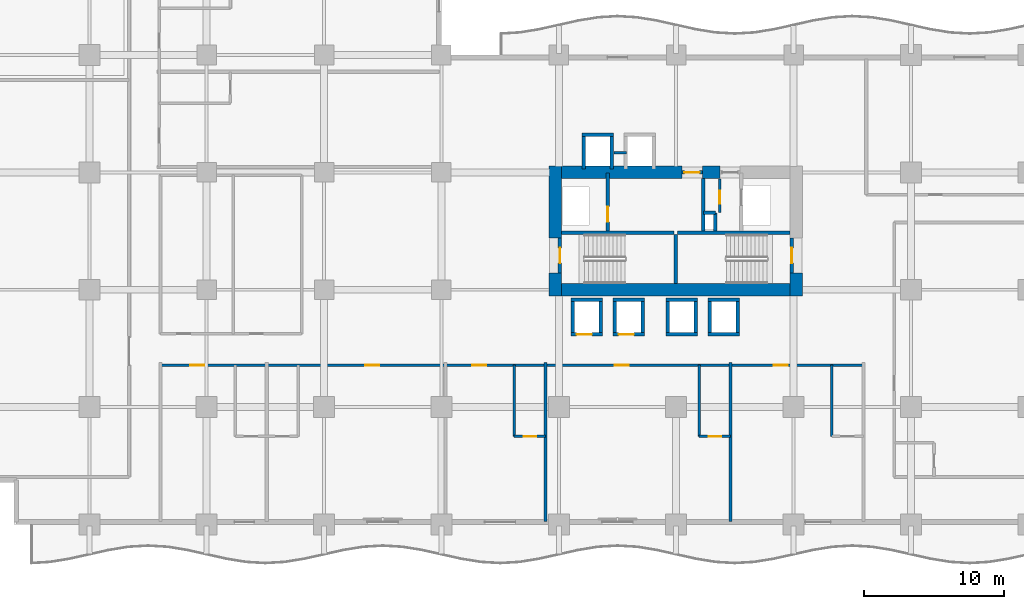
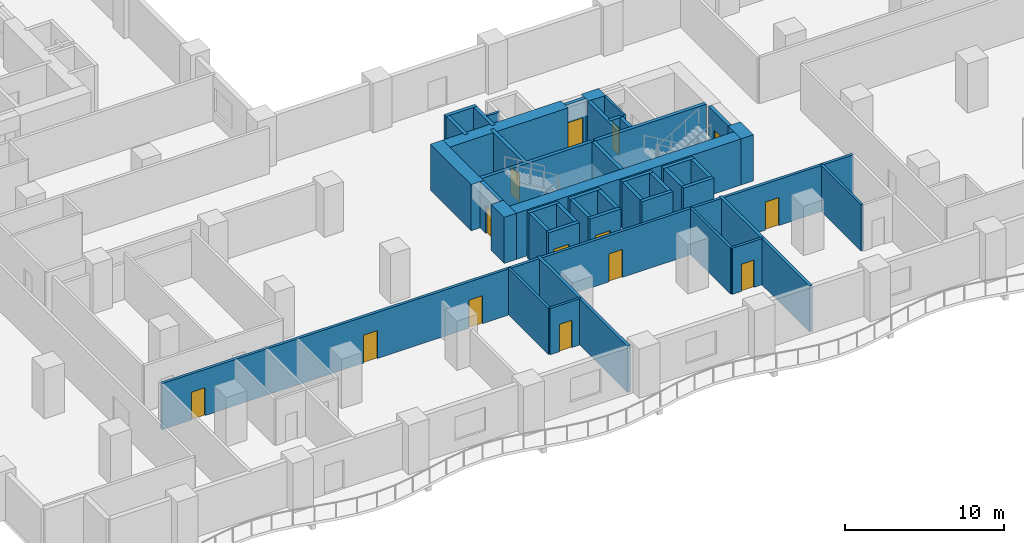
# One storey, part 12 of 27: 45 walls, 14 doors, 14 openings.
"""IFC4 building model written with IfcOpenShell, lengths in metres."""

from ifc_helpers import new_model, si_unit, direction, frame, frame_2d, origin, place, context, subcontext, project, spatial, rectangle, extrude, material, layer, layer_set, type_object, element, fill, save


model = new_model("IFC4")

# Units and contexts
model_context = context("Model", 3, precision=1e-05, world=origin(), true_north=direction((0.0, 1.0)))
body_context = subcontext(model_context, "Body", "Model", "MODEL_VIEW")
ifc_project = project(units=[si_unit("LENGTHUNIT", "METRE"), si_unit("AREAUNIT", "SQUARE_METRE"), si_unit("VOLUMEUNIT", "CUBIC_METRE"), si_unit("PLANEANGLEUNIT", "RADIAN"), si_unit("MASSUNIT", "GRAM", prefix="KILO")], contexts=[model_context])

# Site, building, storey
site_placement = place(None, origin())
site = spatial("IfcSite", under=ifc_project, at=site_placement, CompositionType="ELEMENT")
building_placement = place(site_placement, origin())
building = spatial("IfcBuilding", under=site, at=building_placement, Name="Koriwani Terraces Tower", CompositionType="ELEMENT")
storey_placement = place(building_placement, frame((0.0, 0.0, 54.800048828125)))
storey = spatial("IfcBuildingStorey", under=building, at=storey_placement, Name="L12", CompositionType="ELEMENT", Elevation=54.800048828125)

# Walls
ifc_material_1 = material(Name="Concrete C60/75", Category="concrete")
ifc_layer_1 = layer(ifc_material_1, 0.89990234375, Name="Concrete C60/75")
ifc_layer_set_1 = layer_set([ifc_layer_1], Name="Concrete C60/75")
wall_type_1 = type_object("IfcWallType", Name="WALL_CORE_RC_900", PredefinedType="SHEAR", material=ifc_layer_set_1)
wall_1_placement = place(storey_placement, frame((41.75, 16.35009765625, 0.0), z_axis=(0.0, 0.0, 1.0), x_axis=(0.0, 1.0, 0.0)))
element("IfcWall", 1, at=wall_1_placement, inside=storey, type_object=wall_type_1, Name="L12 East Split Core Shear Wall W1", PredefinedType="SHEAR", context=body_context, shape_type="SweptSolid", body=[
    extrude(rectangle(XDim=1.64990234375, YDim=0.89990234375, at=frame_2d((0.824951171875, 0.0))), origin(), (0.0, 0.0, 1.0), 3.550048828125),
])
wall_2_placement = place(storey_placement, frame((41.75, 20.5, 0.0), z_axis=(0.0, 0.0, 1.0), x_axis=(0.0, 1.0, 0.0)))
element("IfcWall", 2, at=wall_2_placement, inside=storey, type_object=wall_type_1, Name="L12 East Split Core Shear Wall W2", PredefinedType="SHEAR", context=body_context, shape_type="SweptSolid", body=[
    extrude(rectangle(XDim=5.14990234375, YDim=0.89990234375, at=frame_2d((2.574951171875, 0.0))), origin(), (0.0, 0.0, 1.0), 3.550048828125),
])
wall_3_placement = place(storey_placement, frame((59.0, 16.35009765625, 0.0), z_axis=(0.0, 0.0, 1.0), x_axis=(0.0, 1.0, 0.0)))
element("IfcWall", 3, at=wall_3_placement, inside=storey, type_object=wall_type_1, Name="L12 East Split Core Shear Wall E1", PredefinedType="SHEAR", context=body_context, shape_type="SweptSolid", body=[
    extrude(rectangle(XDim=1.64990234375, YDim=0.89990234375, at=frame_2d((0.824951171875, 0.0))), origin(), (0.0, 0.0, 1.0), 3.550048828125),
])
wall_4_placement = place(storey_placement, frame((42.199951171875, 16.800048828125, 0.0), z_axis=(0.0, 0.0, 1.0), x_axis=(1.0, 0.0, 0.0)))
element("IfcWall", 4, at=wall_4_placement, inside=storey, type_object=wall_type_1, Name="L12 East Split Core Shear Wall S1", PredefinedType="SHEAR", context=body_context, shape_type="SweptSolid", body=[
    extrude(rectangle(XDim=16.35009765625, YDim=0.89990234375, at=frame_2d((8.175048828125, 0.0))), origin(), (0.0, 0.0, 1.0), 3.550048828125),
])
wall_5_placement = place(storey_placement, frame((42.199951171875, 25.199951171875, 0.0), z_axis=(0.0, 0.0, 1.0), x_axis=(1.0, 0.0, 0.0)))
element("IfcWall", 5, at=wall_5_placement, inside=storey, type_object=wall_type_1, Name="L12 East Split Core Shear Wall N1", PredefinedType="SHEAR", context=body_context, shape_type="SweptSolid", body=[
    extrude(rectangle(XDim=8.60009765625, YDim=0.89990234375, at=frame_2d((4.300048828125, 0.0))), origin(), (0.0, 0.0, 1.0), 3.550048828125),
])
wall_6_placement = place(storey_placement, frame((52.280029296875, 25.199951171875, 0.0), z_axis=(0.0, 0.0, 1.0), x_axis=(1.0, 0.0, 0.0)))
element("IfcWall", 6, at=wall_6_placement, inside=storey, type_object=wall_type_1, Name="L12 East Split Core Shear Wall N2", PredefinedType="SHEAR", context=body_context, shape_type="SweptSolid", body=[
    extrude(rectangle(XDim=1.27001953125, YDim=0.89990234375, at=frame_2d((0.635009765625, 0.0))), origin(), (0.0, 0.0, 1.0), 3.550048828125),
])

# Wall, openings, doors
ifc_material_2 = material(Name="Autoclaved Cellular Concrete Blockwork", Category="masonry")
ifc_layer_2 = layer(ifc_material_2, 0.199951171875, Name="Autoclaved Cellular Concrete Blockwork")
ifc_layer_set_2 = layer_set([ifc_layer_2], Name="Autoclaved Cellular Concrete Blockwork")
wall_type_2 = type_object("IfcWallType", Name="WALL_CORRIDOR_200", PredefinedType="PARTITIONING", material=ifc_layer_set_2)
wall_7_placement = place(storey_placement, frame((13.5, 11.39990234375, 0.0), z_axis=(0.0, 0.0, 1.0), x_axis=(1.0, 0.0, 0.0)))
wall_7 = element("IfcWall", 7, at=wall_7_placement, inside=storey, type_object=wall_type_2, Name="L12 Interior Wall WCOR-L12-SW-0", PredefinedType="PARTITIONING", context=body_context, shape_type="SweptSolid", body=[
    extrude(rectangle(XDim=50.300048828125, YDim=0.199951171875, at=frame_2d((25.14990234375, 0.0))), origin(), (0.0, 0.0, 1.0), 3.550048828125),
])
opening_1_placement = place(wall_7_placement, frame((2.135009765625, 0.0, 0.0)))
opening_1 = element("IfcOpeningElement", 8, at=opening_1_placement, cuts=wall_7, Name="Opening D-05", PredefinedType="OPENING", context=body_context, shape_type="SweptSolid", body=[
    extrude(rectangle(XDim=1.0, YDim=2.14990234375, at=frame_2d((0.5, 1.074951171875))), frame((0.0, 0.10986328125, 0.0), z_axis=(0.0, -1.0, 0.0), x_axis=(1.0, 0.0, 0.0)), (0.0, 0.0, 1.0), 0.219970703125),
])
opening_2_placement = place(wall_7_placement, frame((14.6650390625, 0.0, 0.0)))
opening_2 = element("IfcOpeningElement", 9, at=opening_2_placement, cuts=wall_7, Name="Opening D-05", PredefinedType="OPENING", context=body_context, shape_type="SweptSolid", body=[
    extrude(rectangle(XDim=1.0, YDim=2.14990234375, at=frame_2d((0.5, 1.074951171875))), frame((0.0, 0.10986328125, 0.0), z_axis=(0.0, -1.0, 0.0), x_axis=(1.0, 0.0, 0.0)), (0.0, 0.0, 1.0), 0.219970703125),
])
opening_3_placement = place(wall_7_placement, frame((22.31005859375, 0.0, 0.0)))
opening_3 = element("IfcOpeningElement", 10, at=opening_3_placement, cuts=wall_7, Name="Opening D-05", PredefinedType="OPENING", context=body_context, shape_type="SweptSolid", body=[
    extrude(rectangle(XDim=1.0, YDim=2.14990234375, at=frame_2d((0.5, 1.074951171875))), frame((0.0, 0.10986328125, 0.0), z_axis=(0.0, -1.0, 0.0), x_axis=(1.0, 0.0, 0.0)), (0.0, 0.0, 1.0), 0.219970703125),
])
opening_4_placement = place(wall_7_placement, frame((32.510009765625, 0.0, 0.0)))
opening_4 = element("IfcOpeningElement", 11, at=opening_4_placement, cuts=wall_7, Name="Opening D-05", PredefinedType="OPENING", context=body_context, shape_type="SweptSolid", body=[
    extrude(rectangle(XDim=1.0, YDim=2.14990234375, at=frame_2d((0.5, 1.074951171875))), frame((0.0, 0.10986328125, 0.0), z_axis=(0.0, -1.0, 0.0), x_axis=(1.0, 0.0, 0.0)), (0.0, 0.0, 1.0), 0.219970703125),
])
opening_5_placement = place(wall_7_placement, frame((43.885009765625, 0.0, 0.0)))
opening_5 = element("IfcOpeningElement", 12, at=opening_5_placement, cuts=wall_7, Name="Opening D-05", PredefinedType="OPENING", context=body_context, shape_type="SweptSolid", body=[
    extrude(rectangle(XDim=1.0, YDim=2.14990234375, at=frame_2d((0.5, 1.074951171875))), frame((0.0, 0.10986328125, 0.0), z_axis=(0.0, -1.0, 0.0), x_axis=(1.0, 0.0, 0.0)), (0.0, 0.0, 1.0), 0.219970703125),
])
ifc_material_3 = material(Name="Architectural Oak Fire Door", Category="wood")
door_type_1 = type_object("IfcDoorType", Name="DOOR_SUITE_ENTRY_1000X2150", OperationType="NOTDEFINED", PredefinedType="DOOR", material=ifc_material_3)
door_1_placement = place(opening_1_placement, origin())
door_1 = element("IfcDoor", 13, at=door_1_placement, inside=storey, type_object=door_type_1, Name="Luxury Hotel Suite 12SW1 Entrance Door", OperationType="SINGLE_SWING_RIGHT", OverallHeight=2.14990234375, OverallWidth=1.0, PredefinedType="DOOR", context=body_context, shape_type="SweptSolid", body=[
    extrude(rectangle(XDim=1.0, YDim=2.14990234375, at=frame_2d((0.5, 1.074951171875))), frame((0.0, 0.02490234375, 0.0), z_axis=(0.0, -1.0, 0.0), x_axis=(1.0, 0.0, 0.0)), (0.0, 0.0, 1.0), 0.050048828125),
])
fill(opening_1, door_1)
door_2_placement = place(opening_2_placement, origin())
door_2 = element("IfcDoor", 14, at=door_2_placement, inside=storey, type_object=door_type_1, Name="Luxury Hotel Suite 12SW2 Entrance Door", OperationType="SINGLE_SWING_RIGHT", OverallHeight=2.14990234375, OverallWidth=1.0, PredefinedType="DOOR", context=body_context, shape_type="SweptSolid", body=[
    extrude(rectangle(XDim=1.0, YDim=2.14990234375, at=frame_2d((0.5, 1.074951171875))), frame((0.0, 0.02490234375, 0.0), z_axis=(0.0, -1.0, 0.0), x_axis=(1.0, 0.0, 0.0)), (0.0, 0.0, 1.0), 0.050048828125),
])
fill(opening_2, door_2)
door_3_placement = place(opening_3_placement, origin())
door_3 = element("IfcDoor", 15, at=door_3_placement, inside=storey, type_object=door_type_1, Name="Luxury Hotel Suite 12SW3 Entrance Door", OperationType="SINGLE_SWING_RIGHT", OverallHeight=2.14990234375, OverallWidth=1.0, PredefinedType="DOOR", context=body_context, shape_type="SweptSolid", body=[
    extrude(rectangle(XDim=1.0, YDim=2.14990234375, at=frame_2d((0.5, 1.074951171875))), frame((0.0, 0.02490234375, 0.0), z_axis=(0.0, -1.0, 0.0), x_axis=(1.0, 0.0, 0.0)), (0.0, 0.0, 1.0), 0.050048828125),
])
fill(opening_3, door_3)
door_4_placement = place(opening_4_placement, origin())
door_4 = element("IfcDoor", 16, at=door_4_placement, inside=storey, type_object=door_type_1, Name="Luxury Hotel Suite 12SW4 Entrance Door", OperationType="SINGLE_SWING_RIGHT", OverallHeight=2.14990234375, OverallWidth=1.0, PredefinedType="DOOR", context=body_context, shape_type="SweptSolid", body=[
    extrude(rectangle(XDim=1.0, YDim=2.14990234375, at=frame_2d((0.5, 1.074951171875))), frame((0.0, 0.02490234375, 0.0), z_axis=(0.0, -1.0, 0.0), x_axis=(1.0, 0.0, 0.0)), (0.0, 0.0, 1.0), 0.050048828125),
])
fill(opening_4, door_4)
door_5_placement = place(opening_5_placement, origin())
door_5 = element("IfcDoor", 17, at=door_5_placement, inside=storey, type_object=door_type_1, Name="Luxury Hotel Suite 12SW5 Entrance Door", OperationType="SINGLE_SWING_RIGHT", OverallHeight=2.14990234375, OverallWidth=1.0, PredefinedType="DOOR", context=body_context, shape_type="SweptSolid", body=[
    extrude(rectangle(XDim=1.0, YDim=2.14990234375, at=frame_2d((0.5, 1.074951171875))), frame((0.0, 0.02490234375, 0.0), z_axis=(0.0, -1.0, 0.0), x_axis=(1.0, 0.0, 0.0)), (0.0, 0.0, 1.0), 0.050048828125),
])
fill(opening_5, door_5)

# Walls
ifc_layer_3 = layer(ifc_material_2, 0.219970703125, Name="Autoclaved Cellular Concrete Blockwork")
ifc_layer_set_3 = layer_set([ifc_layer_3], Name="Autoclaved Cellular Concrete Blockwork")
wall_type_3 = type_object("IfcWallType", Name="WALL_DEMISING_220", PredefinedType="PARTITIONING", material=ifc_layer_set_3)
for number, where, z_axis, x_axis, name in (
    (18, (41.050048828125, 0.199951171875, 0.0), (0.0, 0.0, 1.0), (0.0, 1.0, 0.0), "L12 Interior Wall WDEM-L12-SW-3"),
    (19, (54.300048828125, 0.199951171875, 0.0), (0.0, 0.0, 1.0), (0.0, 1.0, 0.0), "L12 Interior Wall WDEM-L12-SW-4"),
):
    element("IfcWall", number, at=place(storey_placement, frame(where, z_axis=z_axis, x_axis=x_axis)), inside=storey, type_object=wall_type_3, Name=name, PredefinedType="PARTITIONING", context=body_context, shape_type="SweptSolid", body=[
        extrude(rectangle(XDim=11.380126953125, YDim=0.219970703125, at=frame_2d((5.68994140625, 0.0))), origin(), (0.0, 0.0, 1.0), 3.550048828125),
    ])

# Wall, opening, door
ifc_material_4 = material(Name="Fire-Rated Acoustic Gypsum Partition", Category="masonry")
ifc_layer_4 = layer(ifc_material_4, 0.179931640625, Name="Fire-Rated Acoustic Gypsum Partition")
ifc_layer_set_4 = layer_set([ifc_layer_4], Name="Fire-Rated Acoustic Gypsum Partition")
wall_type_4 = type_object("IfcWallType", Name="WALL_PLUMBING_180", PredefinedType="PLUMBINGWALL", material=ifc_layer_set_4)
wall_8_placement = place(storey_placement, frame((38.800048828125, 6.300048828125, 0.0), z_axis=(0.0, 0.0, 1.0), x_axis=(1.0, 0.0, 0.0)))
wall_8 = element("IfcWall", 20, at=wall_8_placement, inside=storey, type_object=wall_type_4, Name="L12 Interior Wall WBTH1-L12-SW-2", PredefinedType="PLUMBINGWALL", context=body_context, shape_type="SweptSolid", body=[
    extrude(rectangle(XDim=2.25, YDim=0.179931640625, at=frame_2d((1.125, 0.0))), origin(), (0.0, 0.0, 1.0), 3.550048828125),
])
opening_6_placement = place(wall_8_placement, frame((0.675048828125, 0.0, 0.0)))
opening_6 = element("IfcOpeningElement", 21, at=opening_6_placement, cuts=wall_8, Name="Opening D-07", PredefinedType="OPENING", context=body_context, shape_type="SweptSolid", body=[
    extrude(rectangle(XDim=0.89990234375, YDim=2.10009765625, at=frame_2d((0.449951171875, 1.050048828125))), frame((0.0, 0.10009765625, 0.0), z_axis=(0.0, -1.0, 0.0), x_axis=(1.0, 0.0, 0.0)), (0.0, 0.0, 1.0), 0.199951171875),
])
door_type_2 = type_object("IfcDoorType", Name="DOOR_BATH_INT_900X2100", OperationType="NOTDEFINED", PredefinedType="DOOR", material=ifc_material_3)
door_6_placement = place(opening_6_placement, origin())
door_6 = element("IfcDoor", 22, at=door_6_placement, inside=storey, type_object=door_type_2, Name="En-Suite Bathroom 12SW3 Door", OperationType="SINGLE_SWING_LEFT", OverallHeight=2.10009765625, OverallWidth=0.89990234375, PredefinedType="DOOR", context=body_context, shape_type="SweptSolid", body=[
    extrude(rectangle(XDim=0.89990234375, YDim=2.10009765625, at=frame_2d((0.449951171875, 1.050048828125))), frame((0.0, 0.02490234375, 0.0), z_axis=(0.0, -1.0, 0.0), x_axis=(1.0, 0.0, 0.0)), (0.0, 0.0, 1.0), 0.050048828125),
])
fill(opening_6, door_6)

# Wall
wall_9_placement = place(storey_placement, frame((38.800048828125, 6.300048828125, 0.0), z_axis=(0.0, 0.0, 1.0), x_axis=(0.0, 1.0, 0.0)))
element("IfcWall", 23, at=wall_9_placement, inside=storey, type_object=wall_type_4, Name="L12 Interior Wall WBTH2-L12-SW-2", PredefinedType="PLUMBINGWALL", context=body_context, shape_type="SweptSolid", body=[
    extrude(rectangle(XDim=5.099853515625, YDim=0.179931640625, at=frame_2d((2.5498046875, 0.0))), origin(), (0.0, 0.0, 1.0), 3.550048828125),
])

# Wall, opening, door
wall_10_placement = place(storey_placement, frame((52.050048828125, 6.300048828125, 0.0), z_axis=(0.0, 0.0, 1.0), x_axis=(1.0, 0.0, 0.0)))
wall_10 = element("IfcWall", 24, at=wall_10_placement, inside=storey, type_object=wall_type_4, Name="L12 Interior Wall WBTH1-L12-SW-3", PredefinedType="PLUMBINGWALL", context=body_context, shape_type="SweptSolid", body=[
    extrude(rectangle(XDim=2.25, YDim=0.179931640625, at=frame_2d((1.125, 0.0))), origin(), (0.0, 0.0, 1.0), 3.550048828125),
])
opening_7_placement = place(wall_10_placement, frame((0.675048828125, 0.0, 0.0)))
opening_7 = element("IfcOpeningElement", 25, at=opening_7_placement, cuts=wall_10, Name="Opening D-07", PredefinedType="OPENING", context=body_context, shape_type="SweptSolid", body=[
    extrude(rectangle(XDim=0.89990234375, YDim=2.10009765625, at=frame_2d((0.449951171875, 1.050048828125))), frame((0.0, 0.10009765625, 0.0), z_axis=(0.0, -1.0, 0.0), x_axis=(1.0, 0.0, 0.0)), (0.0, 0.0, 1.0), 0.199951171875),
])
door_7_placement = place(opening_7_placement, origin())
door_7 = element("IfcDoor", 26, at=door_7_placement, inside=storey, type_object=door_type_2, Name="En-Suite Bathroom 12SW4 Door", OperationType="SINGLE_SWING_LEFT", OverallHeight=2.10009765625, OverallWidth=0.89990234375, PredefinedType="DOOR", context=body_context, shape_type="SweptSolid", body=[
    extrude(rectangle(XDim=0.89990234375, YDim=2.10009765625, at=frame_2d((0.449951171875, 1.050048828125))), frame((0.0, 0.02490234375, 0.0), z_axis=(0.0, -1.0, 0.0), x_axis=(1.0, 0.0, 0.0)), (0.0, 0.0, 1.0), 0.050048828125),
])
fill(opening_7, door_7)

# Walls
for number, where, z_axis, x_axis, name in (
    (27, (52.050048828125, 6.300048828125, 0.0), (0.0, 0.0, 1.0), (0.0, 1.0, 0.0), "L12 Interior Wall WBTH2-L12-SW-3"),
    (28, (61.550048828125, 6.300048828125, 0.0), (0.0, 0.0, 1.0), (0.0, 1.0, 0.0), "L12 Interior Wall WBTH2-L12-SW-4"),
):
    element("IfcWall", number, at=place(storey_placement, frame(where, z_axis=z_axis, x_axis=x_axis)), inside=storey, type_object=wall_type_4, Name=name, PredefinedType="PLUMBINGWALL", context=body_context, shape_type="SweptSolid", body=[
        extrude(rectangle(XDim=5.099853515625, YDim=0.179931640625, at=frame_2d((2.5498046875, 0.0))), origin(), (0.0, 0.0, 1.0), 3.550048828125),
    ])
ifc_material_5 = material(Name="Concrete C40/50", Category="concrete")
ifc_layer_5 = layer(ifc_material_5, 0.25, Name="Concrete C40/50")
ifc_layer_set_5 = layer_set([ifc_layer_5], Name="Concrete C40/50")
wall_type_5 = type_object("IfcWallType", Name="WALL_SHAFT_RATED_250", PredefinedType="SOLIDWALL", material=ifc_layer_set_5)
for number, where, z_axis, x_axis, name in (
    (29, (42.199951171875, 20.875, 0.0), (0.0, 0.0, 1.0), (1.0, 0.0, 0.0), "L12 East Split Core Web Wall MID1"),
    (30, (50.5, 20.875, 0.0), (0.0, 0.0, 1.0), (1.0, 0.0, 0.0), "L12 East Split Core Web Wall MID2"),
):
    element("IfcWall", number, at=place(storey_placement, frame(where, z_axis=z_axis, x_axis=x_axis)), inside=storey, type_object=wall_type_5, Name=name, PredefinedType="SOLIDWALL", context=body_context, shape_type="SweptSolid", body=[
        extrude(rectangle(XDim=8.050048828125, YDim=0.25, at=frame_2d((4.02490234375, 0.0))), origin(), (0.0, 0.0, 1.0), 3.550048828125),
    ])
wall_11_placement = place(storey_placement, frame((50.375, 17.25, 0.0), z_axis=(0.0, 0.0, 1.0), x_axis=(0.0, 1.0, 0.0)))
element("IfcWall", 31, at=wall_11_placement, inside=storey, type_object=wall_type_5, Name="L12 East Split Core Stair Dividing Wall", PredefinedType="SOLIDWALL", context=body_context, shape_type="SweptSolid", body=[
    extrude(rectangle(XDim=3.5, YDim=0.25, at=frame_2d((1.75, 0.0))), origin(), (0.0, 0.0, 1.0), 3.550048828125),
])

# Wall, opening, door
wall_12_placement = place(storey_placement, frame((42.074951171875, 18.0, 0.0), z_axis=(0.0, 0.0, 1.0), x_axis=(0.0, 1.0, 0.0)))
wall_12 = element("IfcWall", 32, at=wall_12_placement, inside=storey, type_object=wall_type_5, Name="L12 Interior Wall WIN-CE-L12-STW", PredefinedType="SOLIDWALL", context=body_context, shape_type="SweptSolid", body=[
    extrude(rectangle(XDim=2.5, YDim=0.25, at=frame_2d((1.25, 0.0))), origin(), (0.0, 0.0, 1.0), 3.550048828125),
])
opening_8_placement = place(wall_12_placement, frame((0.699951171875, 0.0, 0.0)))
opening_8 = element("IfcOpeningElement", 33, at=opening_8_placement, cuts=wall_12, Name="Opening D-03", PredefinedType="OPENING", context=body_context, shape_type="SweptSolid", body=[
    extrude(rectangle(XDim=1.10009765625, YDim=2.14990234375, at=frame_2d((0.550048828125, 1.074951171875))), frame((0.0, 0.135009765625, 0.0), z_axis=(0.0, -1.0, 0.0), x_axis=(1.0, 0.0, 0.0)), (0.0, 0.0, 1.0), 0.27001953125),
])
ifc_material_6 = material(Name="Steel ASTM A572 Grade 50", Category="steel")
door_type_3 = type_object("IfcDoorType", Name="DOOR_STAIR_FIRE_1100X2150", OperationType="NOTDEFINED", PredefinedType="DOOR", material=ifc_material_6)
door_8_placement = place(opening_8_placement, origin())
door_8 = element("IfcDoor", 34, at=door_8_placement, inside=storey, type_object=door_type_3, Name="L12 Exit Stair ST-E1 Door", OperationType="SINGLE_SWING_LEFT", OverallHeight=2.14990234375, OverallWidth=1.10009765625, PredefinedType="DOOR", context=body_context, shape_type="SweptSolid", body=[
    extrude(rectangle(XDim=1.10009765625, YDim=2.14990234375, at=frame_2d((0.550048828125, 1.074951171875))), frame((0.0, 0.02490234375, 0.0), z_axis=(0.0, -1.0, 0.0), x_axis=(1.0, 0.0, 0.0)), (0.0, 0.0, 1.0), 0.050048828125),
])
fill(opening_8, door_8)

wall_13_placement = place(storey_placement, frame((58.675048828125, 18.0, 0.0), z_axis=(0.0, 0.0, 1.0), x_axis=(0.0, 1.0, 0.0)))
wall_13 = element("IfcWall", 35, at=wall_13_placement, inside=storey, type_object=wall_type_5, Name="L12 Interior Wall WIN-CE-L12-STE", PredefinedType="SOLIDWALL", context=body_context, shape_type="SweptSolid", body=[
    extrude(rectangle(XDim=2.5, YDim=0.25, at=frame_2d((1.25, 0.0))), origin(), (0.0, 0.0, 1.0), 3.550048828125),
])
opening_9_placement = place(wall_13_placement, frame((0.699951171875, 0.0, 0.0)))
opening_9 = element("IfcOpeningElement", 36, at=opening_9_placement, cuts=wall_13, Name="Opening D-03", PredefinedType="OPENING", context=body_context, shape_type="SweptSolid", body=[
    extrude(rectangle(XDim=1.10009765625, YDim=2.14990234375, at=frame_2d((0.550048828125, 1.074951171875))), frame((0.0, 0.135009765625, 0.0), z_axis=(0.0, -1.0, 0.0), x_axis=(1.0, 0.0, 0.0)), (0.0, 0.0, 1.0), 0.27001953125),
])
door_9_placement = place(opening_9_placement, origin())
door_9 = element("IfcDoor", 37, at=door_9_placement, inside=storey, type_object=door_type_3, Name="L12 Exit Stair ST-E2 Door", OperationType="SINGLE_SWING_RIGHT", OverallHeight=2.14990234375, OverallWidth=1.10009765625, PredefinedType="DOOR", context=body_context, shape_type="SweptSolid", body=[
    extrude(rectangle(XDim=1.10009765625, YDim=2.14990234375, at=frame_2d((0.550048828125, 1.074951171875))), frame((0.0, 0.02490234375, 0.0), z_axis=(0.0, -1.0, 0.0), x_axis=(1.0, 0.0, 0.0)), (0.0, 0.0, 1.0), 0.050048828125),
])
fill(opening_9, door_9)

wall_14_placement = place(storey_placement, frame((45.5, 21.0, 0.0), z_axis=(0.0, 0.0, 1.0), x_axis=(0.0, 1.0, 0.0)))
wall_14 = element("IfcWall", 38, at=wall_14_placement, inside=storey, type_object=wall_type_5, Name="L12 Interior Wall WIN-CE-L12-FE", PredefinedType="SOLIDWALL", context=body_context, shape_type="SweptSolid", body=[
    extrude(rectangle(XDim=4.14990234375, YDim=0.25, at=frame_2d((2.074951171875, 0.0))), origin(), (0.0, 0.0, 1.0), 3.550048828125),
])
opening_10_placement = place(wall_14_placement, frame((0.64990234375, 0.0, 0.0)))
opening_10 = element("IfcOpeningElement", 39, at=opening_10_placement, cuts=wall_14, Name="Opening LD-01", PredefinedType="OPENING", context=body_context, shape_type="SweptSolid", body=[
    extrude(rectangle(XDim=1.10009765625, YDim=2.14990234375, at=frame_2d((0.550048828125, 1.074951171875))), frame((0.0, 0.135009765625, 0.0), z_axis=(0.0, -1.0, 0.0), x_axis=(1.0, 0.0, 0.0)), (0.0, 0.0, 1.0), 0.27001953125),
])
door_type_4 = type_object("IfcDoorType", Name="DOOR_LIFT_LANDING_1100X2200", OperationType="NOTDEFINED", PredefinedType="DOOR", material=ifc_material_6)
door_10_placement = place(opening_10_placement, origin())
door_10 = element("IfcDoor", 40, at=door_10_placement, inside=storey, type_object=door_type_4, Name="L12 Firefighting Lift FE-02 Landing Door", OperationType="SLIDING_TO_LEFT", OverallHeight=2.14990234375, OverallWidth=1.10009765625, PredefinedType="DOOR", context=body_context, shape_type="SweptSolid", body=[
    extrude(rectangle(XDim=1.10009765625, YDim=2.14990234375, at=frame_2d((0.550048828125, 1.074951171875))), frame((0.0, 0.02490234375, 0.0), z_axis=(0.0, -1.0, 0.0), x_axis=(1.0, 0.0, 0.0)), (0.0, 0.0, 1.0), 0.050048828125),
])
fill(opening_10, door_10)

wall_15_placement = place(storey_placement, frame((50.800048828125, 25.199951171875, 0.0), z_axis=(0.0, 0.0, 1.0), x_axis=(1.0, 0.0, 0.0)))
wall_15 = element("IfcWall", 41, at=wall_15_placement, inside=storey, type_object=wall_type_5, Name="L12 Interior Wall WIN-CE-L12-NP", PredefinedType="SOLIDWALL", context=body_context, shape_type="SweptSolid", body=[
    extrude(rectangle(XDim=1.47998046875, YDim=0.25, at=frame_2d((0.739990234375, 0.0))), origin(), (0.0, 0.0, 1.0), 3.550048828125),
])
opening_11_placement = place(wall_15_placement, frame((0.179931640625, 0.0, 0.0)))
opening_11 = element("IfcOpeningElement", 42, at=opening_11_placement, cuts=wall_15, Name="Opening D-03", PredefinedType="OPENING", context=body_context, shape_type="SweptSolid", body=[
    extrude(rectangle(XDim=1.10009765625, YDim=2.14990234375, at=frame_2d((0.550048828125, 1.074951171875))), frame((0.0, 0.135009765625, 0.0), z_axis=(0.0, -1.0, 0.0), x_axis=(1.0, 0.0, 0.0)), (0.0, 0.0, 1.0), 0.27001953125),
])
door_11_placement = place(opening_11_placement, origin())
door_11 = element("IfcDoor", 43, at=door_11_placement, inside=storey, type_object=door_type_3, Name="L12 East Firefighting Lobby Door", OperationType="SINGLE_SWING_LEFT", OverallHeight=2.14990234375, OverallWidth=1.10009765625, PredefinedType="DOOR", context=body_context, shape_type="SweptSolid", body=[
    extrude(rectangle(XDim=1.10009765625, YDim=2.14990234375, at=frame_2d((0.550048828125, 1.074951171875))), frame((0.0, 0.02490234375, 0.0), z_axis=(0.0, -1.0, 0.0), x_axis=(1.0, 0.0, 0.0)), (0.0, 0.0, 1.0), 0.050048828125),
])
fill(opening_11, door_11)

# Walls
wall_16_placement = place(storey_placement, frame((52.340087890625, 21.0, 0.0), z_axis=(0.0, 0.0, 1.0), x_axis=(0.0, 1.0, 0.0)))
element("IfcWall", 44, at=wall_16_placement, inside=storey, type_object=wall_type_5, Name="L12 Interior Wall WIN-CE-L12-FFE", PredefinedType="SOLIDWALL", context=body_context, shape_type="SweptSolid", body=[
    extrude(rectangle(XDim=3.75, YDim=0.25, at=frame_2d((1.875, 0.0))), origin(), (0.0, 0.0, 1.0), 3.550048828125),
])
wall_17_placement = place(storey_placement, frame((53.199951171875, 21.0, 0.0), z_axis=(0.0, 0.0, 1.0), x_axis=(0.0, 1.0, 0.0)))
element("IfcWall", 45, at=wall_17_placement, inside=storey, type_object=wall_type_5, Name="L12 Interior Wall WIN-CE-L12-RS1", PredefinedType="SOLIDWALL", context=body_context, shape_type="SweptSolid", body=[
    extrude(rectangle(XDim=1.300048828125, YDim=0.25, at=frame_2d((0.64990234375, 0.0))), origin(), (0.0, 0.0, 1.0), 3.550048828125),
])
wall_18_placement = place(storey_placement, frame((52.360107421875, 22.300048828125, 0.0), z_axis=(0.0, 0.0, 1.0), x_axis=(1.0, 0.0, 0.0)))
element("IfcWall", 46, at=wall_18_placement, inside=storey, type_object=wall_type_5, Name="L12 Interior Wall WIN-CE-L12-RS2", PredefinedType="SOLIDWALL", context=body_context, shape_type="SweptSolid", body=[
    extrude(rectangle(XDim=0.83984375, YDim=0.25, at=frame_2d((0.419921875, 0.0))), origin(), (0.0, 0.0, 1.0), 3.550048828125),
])

# Wall, opening, door
wall_19_placement = place(storey_placement, frame((42.875, 13.60009765625, 0.0), z_axis=(0.0, 0.0, 1.0), x_axis=(1.0, 0.0, 0.0)))
wall_19 = element("IfcWall", 47, at=wall_19_placement, inside=storey, type_object=wall_type_5, Name="L12 Interior Wall WIN-LF-PE-L3-L12-F", PredefinedType="SOLIDWALL", context=body_context, shape_type="SweptSolid", body=[
    extrude(rectangle(XDim=2.25, YDim=0.25, at=frame_2d((1.125, 0.0))), origin(), (0.0, 0.0, 1.0), 3.550048828125),
])
opening_12_placement = place(wall_19_placement, frame((0.39990234375, 0.0, 0.0)))
opening_12 = element("IfcOpeningElement", 48, at=opening_12_placement, cuts=wall_19, Name="Opening LD-01", PredefinedType="OPENING", context=body_context, shape_type="SweptSolid", body=[
    extrude(rectangle(XDim=1.10009765625, YDim=2.14990234375, at=frame_2d((0.550048828125, 1.074951171875))), frame((0.0, 0.135009765625, 0.0), z_axis=(0.0, -1.0, 0.0), x_axis=(1.0, 0.0, 0.0)), (0.0, 0.0, 1.0), 0.27001953125),
])
door_12_placement = place(opening_12_placement, origin())
door_12 = element("IfcDoor", 49, at=door_12_placement, inside=storey, type_object=door_type_4, Name="L12 Passenger Lift PE-L3 Landing Door", OperationType="SLIDING_TO_LEFT", OverallHeight=2.14990234375, OverallWidth=1.10009765625, PredefinedType="DOOR", context=body_context, shape_type="SweptSolid", body=[
    extrude(rectangle(XDim=1.10009765625, YDim=2.14990234375, at=frame_2d((0.550048828125, 1.074951171875))), frame((0.0, 0.02490234375, 0.0), z_axis=(0.0, -1.0, 0.0), x_axis=(1.0, 0.0, 0.0)), (0.0, 0.0, 1.0), 0.050048828125),
])
fill(opening_12, door_12)

# Walls
for number, where, z_axis, x_axis, name in (
    (50, (42.875, 16.10009765625, 0.0), (0.0, 0.0, 1.0), (1.0, 0.0, 0.0), "L12 Interior Wall WIN-LF-PE-L3-L12-B"),
    (51, (43.0, 13.72509765625, 0.0), (0.0, 0.0, 1.0), (0.0, 1.0, 0.0), "L12 Interior Wall WIN-LF-PE-L3-L12-W"),
    (52, (45.0, 13.72509765625, 0.0), (0.0, 0.0, 1.0), (0.0, 1.0, 0.0), "L12 Interior Wall WIN-LF-PE-L3-L12-E"),
):
    element("IfcWall", number, at=place(storey_placement, frame(where, z_axis=z_axis, x_axis=x_axis)), inside=storey, type_object=wall_type_5, Name=name, PredefinedType="SOLIDWALL", context=body_context, shape_type="SweptSolid", body=[
        extrude(rectangle(XDim=2.25, YDim=0.25, at=frame_2d((1.125, 0.0))), origin(), (0.0, 0.0, 1.0), 3.550048828125),
    ])

# Wall, opening, door
wall_20_placement = place(storey_placement, frame((45.875, 13.60009765625, 0.0), z_axis=(0.0, 0.0, 1.0), x_axis=(1.0, 0.0, 0.0)))
wall_20 = element("IfcWall", 53, at=wall_20_placement, inside=storey, type_object=wall_type_5, Name="L12 Interior Wall WIN-LF-PE-L4-L12-F", PredefinedType="SOLIDWALL", context=body_context, shape_type="SweptSolid", body=[
    extrude(rectangle(XDim=2.25, YDim=0.25, at=frame_2d((1.125, 0.0))), origin(), (0.0, 0.0, 1.0), 3.550048828125),
])
opening_13_placement = place(wall_20_placement, frame((0.39990234375, 0.0, 0.0)))
opening_13 = element("IfcOpeningElement", 54, at=opening_13_placement, cuts=wall_20, Name="Opening LD-01", PredefinedType="OPENING", context=body_context, shape_type="SweptSolid", body=[
    extrude(rectangle(XDim=1.10009765625, YDim=2.14990234375, at=frame_2d((0.550048828125, 1.074951171875))), frame((0.0, 0.135009765625, 0.0), z_axis=(0.0, -1.0, 0.0), x_axis=(1.0, 0.0, 0.0)), (0.0, 0.0, 1.0), 0.27001953125),
])
door_13_placement = place(opening_13_placement, origin())
door_13 = element("IfcDoor", 55, at=door_13_placement, inside=storey, type_object=door_type_4, Name="L12 Passenger Lift PE-L4 Landing Door", OperationType="SLIDING_TO_LEFT", OverallHeight=2.14990234375, OverallWidth=1.10009765625, PredefinedType="DOOR", context=body_context, shape_type="SweptSolid", body=[
    extrude(rectangle(XDim=1.10009765625, YDim=2.14990234375, at=frame_2d((0.550048828125, 1.074951171875))), frame((0.0, 0.02490234375, 0.0), z_axis=(0.0, -1.0, 0.0), x_axis=(1.0, 0.0, 0.0)), (0.0, 0.0, 1.0), 0.050048828125),
])
fill(opening_13, door_13)

# Walls
for number, where, z_axis, x_axis, name in (
    (56, (45.875, 16.10009765625, 0.0), (0.0, 0.0, 1.0), (1.0, 0.0, 0.0), "L12 Interior Wall WIN-LF-PE-L4-L12-B"),
    (57, (46.0, 13.72509765625, 0.0), (0.0, 0.0, 1.0), (0.0, 1.0, 0.0), "L12 Interior Wall WIN-LF-PE-L4-L12-W"),
    (58, (48.0, 13.72509765625, 0.0), (0.0, 0.0, 1.0), (0.0, 1.0, 0.0), "L12 Interior Wall WIN-LF-PE-L4-L12-E"),
    (59, (49.675048828125, 13.60009765625, 0.0), (0.0, 0.0, 1.0), (1.0, 0.0, 0.0), "L12 Interior Wall WIN-LF-PE-M3-L12-F"),
    (60, (49.675048828125, 16.10009765625, 0.0), (0.0, 0.0, 1.0), (1.0, 0.0, 0.0), "L12 Interior Wall WIN-LF-PE-M3-L12-B"),
    (61, (49.800048828125, 13.72509765625, 0.0), (0.0, 0.0, 1.0), (0.0, 1.0, 0.0), "L12 Interior Wall WIN-LF-PE-M3-L12-W"),
    (62, (51.800048828125, 13.72509765625, 0.0), (0.0, 0.0, 1.0), (0.0, 1.0, 0.0), "L12 Interior Wall WIN-LF-PE-M3-L12-E"),
    (63, (52.675048828125, 13.60009765625, 0.0), (0.0, 0.0, 1.0), (1.0, 0.0, 0.0), "L12 Interior Wall WIN-LF-PE-M4-L12-F"),
    (64, (52.675048828125, 16.10009765625, 0.0), (0.0, 0.0, 1.0), (1.0, 0.0, 0.0), "L12 Interior Wall WIN-LF-PE-M4-L12-B"),
    (65, (52.800048828125, 13.72509765625, 0.0), (0.0, 0.0, 1.0), (0.0, 1.0, 0.0), "L12 Interior Wall WIN-LF-PE-M4-L12-W"),
    (66, (54.800048828125, 13.72509765625, 0.0), (0.0, 0.0, 1.0), (0.0, 1.0, 0.0), "L12 Interior Wall WIN-LF-PE-M4-L12-E"),
    (67, (43.675048828125, 27.89990234375, 0.0), (0.0, 0.0, 1.0), (1.0, 0.0, 0.0), "L12 Interior Wall WIN-LF-PE-H3-L12-F"),
):
    element("IfcWall", number, at=place(storey_placement, frame(where, z_axis=z_axis, x_axis=x_axis)), inside=storey, type_object=wall_type_5, Name=name, PredefinedType="SOLIDWALL", context=body_context, shape_type="SweptSolid", body=[
        extrude(rectangle(XDim=2.25, YDim=0.25, at=frame_2d((1.125, 0.0))), origin(), (0.0, 0.0, 1.0), 3.550048828125),
    ])
for number, where, z_axis, x_axis, name in (
    (68, (43.800048828125, 25.449951171875, 0.0), (0.0, 0.0, 1.0), (0.0, 1.0, 0.0), "L12 Interior Wall WIN-LF-PE-H3-L12-W"),
    (69, (45.800048828125, 25.449951171875, 0.0), (0.0, 0.0, 1.0), (0.0, 1.0, 0.0), "L12 Interior Wall WIN-LF-PE-H3-L12-E"),
):
    element("IfcWall", number, at=place(storey_placement, frame(where, z_axis=z_axis, x_axis=x_axis)), inside=storey, type_object=wall_type_5, Name=name, PredefinedType="SOLIDWALL", context=body_context, shape_type="SweptSolid", body=[
        extrude(rectangle(XDim=2.324951171875, YDim=0.25, at=frame_2d((1.16259765625, 0.0))), origin(), (0.0, 0.0, 1.0), 3.550048828125),
    ])

# Wall, opening, door
ifc_layer_6 = layer(ifc_material_4, 0.159912109375, Name="Fire-Rated Acoustic Gypsum Partition")
ifc_layer_set_6 = layer_set([ifc_layer_6], Name="Fire-Rated Acoustic Gypsum Partition")
wall_type_6 = type_object("IfcWallType", Name="WALL_SUITE_160", PredefinedType="PARTITIONING", material=ifc_layer_set_6)
wall_21_placement = place(storey_placement, frame((53.52001953125, 22.320068359375, 0.0), z_axis=(0.0, 0.0, 1.0), x_axis=(0.0, 1.0, 0.0)))
wall_21 = element("IfcWall", 70, at=wall_21_placement, inside=storey, type_object=wall_type_6, Name="L12 Interior Wall WIN-CE-L12-SV0", PredefinedType="PARTITIONING", context=body_context, shape_type="SweptSolid", body=[
    extrude(rectangle(XDim=2.39990234375, YDim=0.159912109375, at=frame_2d((1.199951171875, 0.0))), origin(), (0.0, 0.0, 1.0), 3.550048828125),
])
opening_14_placement = place(wall_21_placement, frame((0.64990234375, 0.0, 0.0)))
opening_14 = element("IfcOpeningElement", 71, at=opening_14_placement, cuts=wall_21, Name="Opening D-07", PredefinedType="OPENING", context=body_context, shape_type="SweptSolid", body=[
    extrude(rectangle(XDim=0.89990234375, YDim=2.10009765625, at=frame_2d((0.449951171875, 1.050048828125))), frame((0.0, 0.08984375, 0.0), z_axis=(0.0, -1.0, 0.0), x_axis=(1.0, 0.0, 0.0)), (0.0, 0.0, 1.0), 0.179931640625),
])
door_14_placement = place(opening_14_placement, origin())
door_14 = element("IfcDoor", 72, at=door_14_placement, inside=storey, type_object=door_type_2, Name="L12 East Electrical Switch Room Door", OperationType="SINGLE_SWING_LEFT", OverallHeight=2.10009765625, OverallWidth=0.89990234375, PredefinedType="DOOR", context=body_context, shape_type="SweptSolid", body=[
    extrude(rectangle(XDim=0.89990234375, YDim=2.10009765625, at=frame_2d((0.449951171875, 1.050048828125))), frame((0.0, 0.02490234375, 0.0), z_axis=(0.0, -1.0, 0.0), x_axis=(1.0, 0.0, 0.0)), (0.0, 0.0, 1.0), 0.050048828125),
])
fill(opening_14, door_14)

# Wall
wall_22_placement = place(storey_placement, frame((45.9599609375, 26.60009765625, 0.0), z_axis=(0.0, 0.0, 1.0), x_axis=(1.0, 0.0, 0.0)))
element("IfcWall", 73, at=wall_22_placement, inside=storey, type_object=wall_type_6, Name="L12 Interior Wall WIN-LF-PEH34-MID-L12", PredefinedType="PARTITIONING", context=body_context, shape_type="SweptSolid", body=[
    extrude(rectangle(XDim=0.880126953125, YDim=0.159912109375, at=frame_2d((0.43994140625, 0.0))), origin(), (0.0, 0.0, 1.0), 3.550048828125),
])

save(model, "model.ifc")
